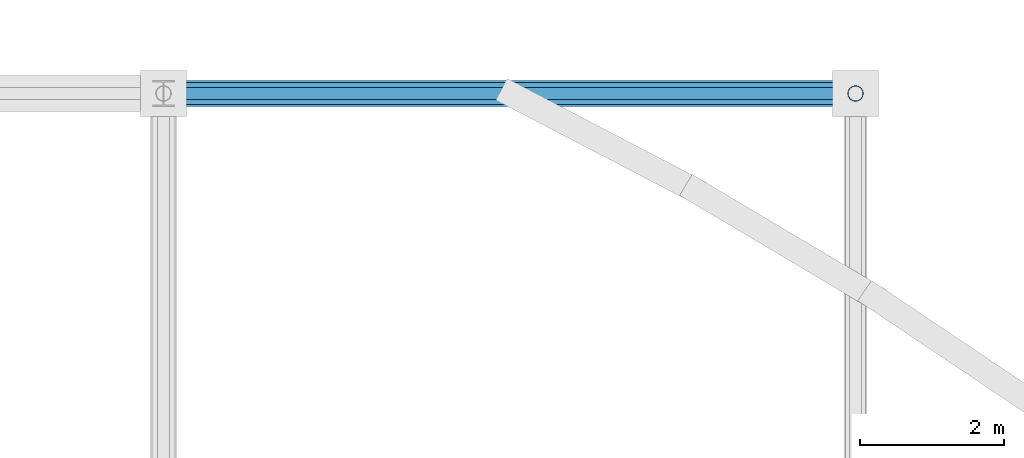
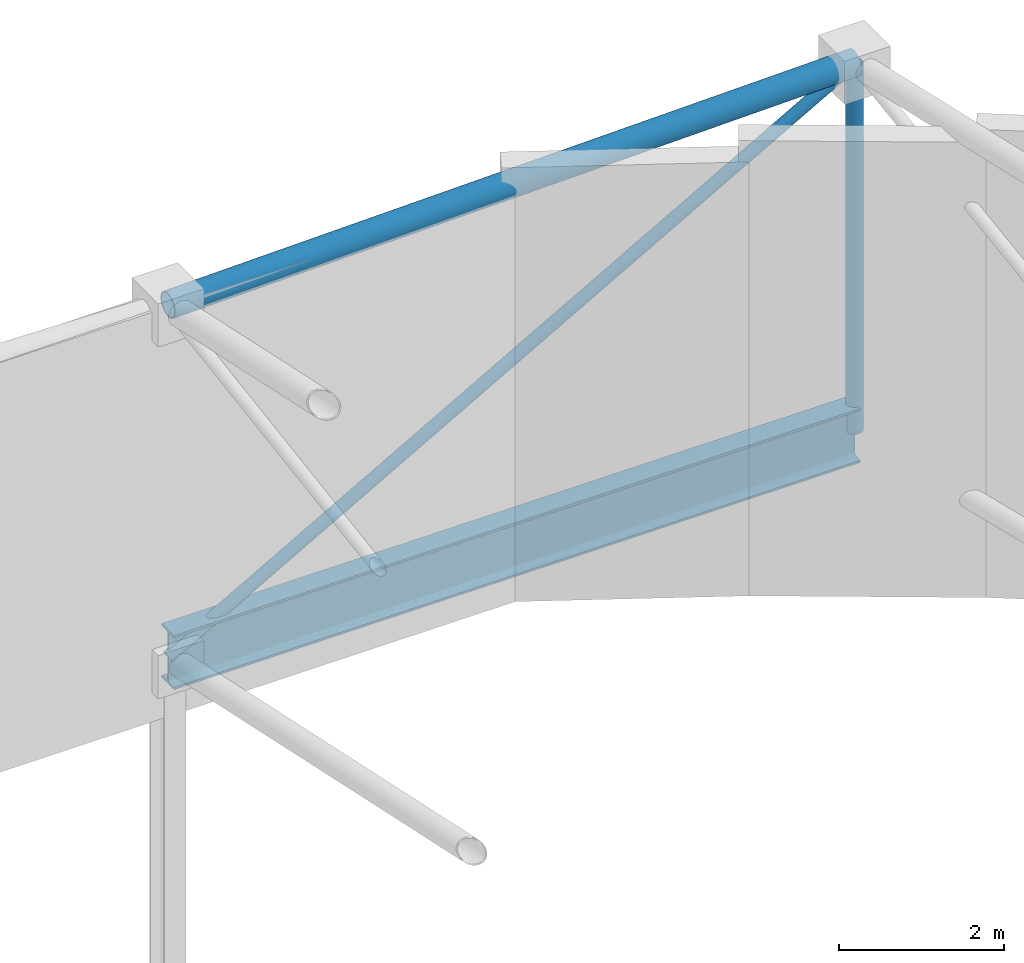
# One storey, part 143 of 193: 3 members, 1 beam.
"""IFC4 building model written with IfcOpenShell, lengths in metres."""

from ifc_helpers import new_model, si_unit, direction, frame, origin, origin_2d, place, context, subcontext, project, spatial, hollow_circle, i_section, extrude, material, material_profile, profile_set, type_object, element, save


model = new_model("IFC4")

# Units and contexts
model_context = context("Model", 3, precision=1e-05, world=origin(), true_north=direction((0.0, 1.0)))
body_context = subcontext(model_context, "Body", "Model", "MODEL_VIEW")
ifc_project = project(units=[si_unit("LENGTHUNIT", "METRE"), si_unit("AREAUNIT", "SQUARE_METRE"), si_unit("VOLUMEUNIT", "CUBIC_METRE"), si_unit("PLANEANGLEUNIT", "RADIAN"), si_unit("MASSUNIT", "GRAM", prefix="KILO")], contexts=[model_context])

# Site, building, storey
site_placement = place(None, origin())
site = spatial("IfcSite", under=ifc_project, at=site_placement, CompositionType="ELEMENT")
building_placement = place(site_placement, origin())
building = spatial("IfcBuilding", under=site, at=building_placement, Name="Danafjord Basin Convention Centre", CompositionType="ELEMENT")
storey_placement = place(building_placement, frame((0.0, 0.0, 11.39990234375)))
storey = spatial("IfcBuildingStorey", under=building, at=storey_placement, Name="L02", CompositionType="ELEMENT", Elevation=11.39990234375)

# Beam
ifc_material = material(Name="Steel S355", Category="steel")
ifc_material_profile_1 = material_profile(ifc_material, i_section(OverallWidth=0.300048828125, OverallDepth=0.800048828125, WebThickness=0.017578125, FlangeThickness=0.032958984375, FilletRadius=0.030029296875, at=origin_2d()), Name="HEB 800")
ifc_profile_set_1 = profile_set([ifc_material_profile_1], Name="Steel S355")
beam_type = type_object("IfcBeamType", Name="BEAM-BM-HEB800", PredefinedType="BEAM", material=ifc_profile_set_1)
beam_placement = place(storey_placement, frame((172.800048828125, 144.0, 7.650146484375), z_axis=(1.0, 0.0, 0.0), x_axis=(0.0, 1.0, 0.0)))
element("IfcBeam", 1, at=beam_placement, inside=storey, type_object=beam_type, Name="V2 space-frame perimeter ring girder", PredefinedType="BEAM", context=body_context, shape_type="SweptSolid", body=[
    extrude(i_section(OverallWidth=0.300048828125, OverallDepth=0.800048828125, WebThickness=0.017578125, FlangeThickness=0.032958984375, FilletRadius=0.030029296875, at=origin_2d()), origin(), (0.0, 0.0, 1.0), 9.599853515625),
])

# Members
ifc_material_profile_2 = material_profile(ifc_material, hollow_circle(Radius=0.177734375, WallThickness=0.01611328125, at=origin_2d()), Name="CHS 355.6x16.0")
ifc_profile_set_2 = profile_set([ifc_material_profile_2], Name="Steel S355")
member_type_1 = type_object("IfcMemberType", Name="MEM-CH-CHS355", PredefinedType="CHORD", material=ifc_profile_set_2)
member_1_placement = place(storey_placement, frame((172.800048828125, 144.0, 12.85009765625), z_axis=(0.999725208244, 0.0, 0.023441586989), x_axis=(0.0, 1.0, 0.0)))
element("IfcMember", 2, at=member_1_placement, inside=storey, type_object=member_type_1, Name="V2 roof truss longitudinal top chord", PredefinedType="CHORD", context=body_context, shape_type="SweptSolid", body=[
    extrude(hollow_circle(Radius=0.177734375, WallThickness=0.01611328125, at=origin_2d()), origin(), (0.0, 0.0, 1.0), 9.6025390625),
])
ifc_material_profile_3 = material_profile(ifc_material, hollow_circle(Radius=0.109619140625, WallThickness=0.010009765625, at=origin_2d()), Name="CHS 219.1x10.0")
ifc_profile_set_3 = profile_set([ifc_material_profile_3], Name="Steel S355")
member_type_2 = type_object("IfcMemberType", Name="MEM-ST-CHS219", PredefinedType="STRUT", material=ifc_profile_set_3)
member_2_placement = place(storey_placement, frame((182.39990234375, 144.0, 7.650146484375), z_axis=(0.0, 0.0, 1.0), x_axis=(1.0, 0.0, 0.0)))
element("IfcMember", 3, at=member_2_placement, inside=storey, type_object=member_type_2, Name="V2 roof truss vertical strut", PredefinedType="STRUT", context=body_context, shape_type="SweptSolid", body=[
    extrude(hollow_circle(Radius=0.109619140625, WallThickness=0.010009765625, at=origin_2d()), origin(), (0.0, 0.0, 1.0), 5.425048828125),
])
ifc_material_profile_4 = material_profile(ifc_material, hollow_circle(Radius=0.084228515625, WallThickness=0.008056640625, at=origin_2d()), Name="CHS 168.3x8.0")
ifc_profile_set_4 = profile_set([ifc_material_profile_4], Name="Steel S355")
member_type_3 = type_object("IfcMemberType", Name="MEM-WB-CHS168", PredefinedType="MEMBER", material=ifc_profile_set_4)
member_3_placement = place(storey_placement, frame((172.800048828125, 144.0, 7.650146484375), z_axis=(0.870599949112, 0.0, 0.491991594039), x_axis=(0.0, 1.0, 0.0)))
element("IfcMember", 4, at=member_3_placement, inside=storey, type_object=member_type_3, Name="V2 space-frame longitudinal web", PredefinedType="MEMBER", context=body_context, shape_type="SweptSolid", body=[
    extrude(hollow_circle(Radius=0.084228515625, WallThickness=0.008056640625, at=origin_2d()), origin(), (0.0, 0.0, 1.0), 11.026611328125),
])

save(model, "model.ifc")
